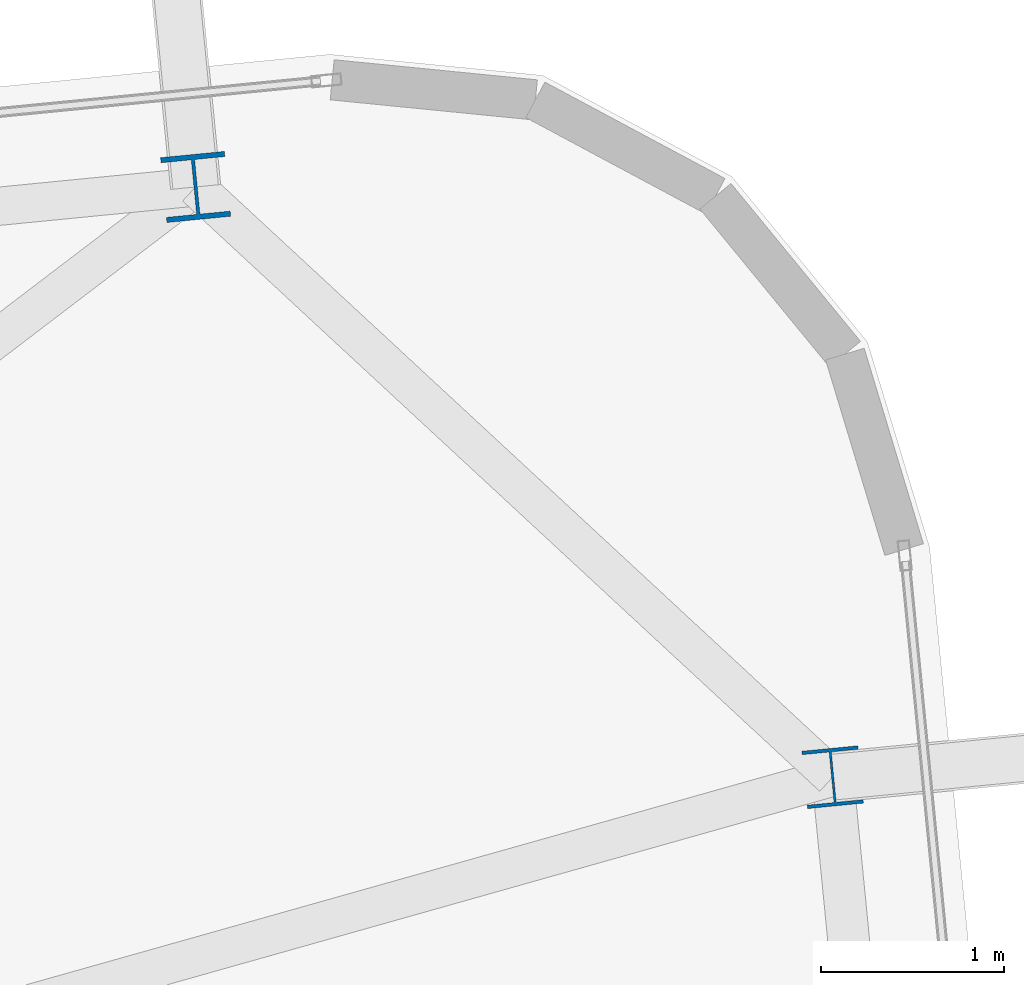
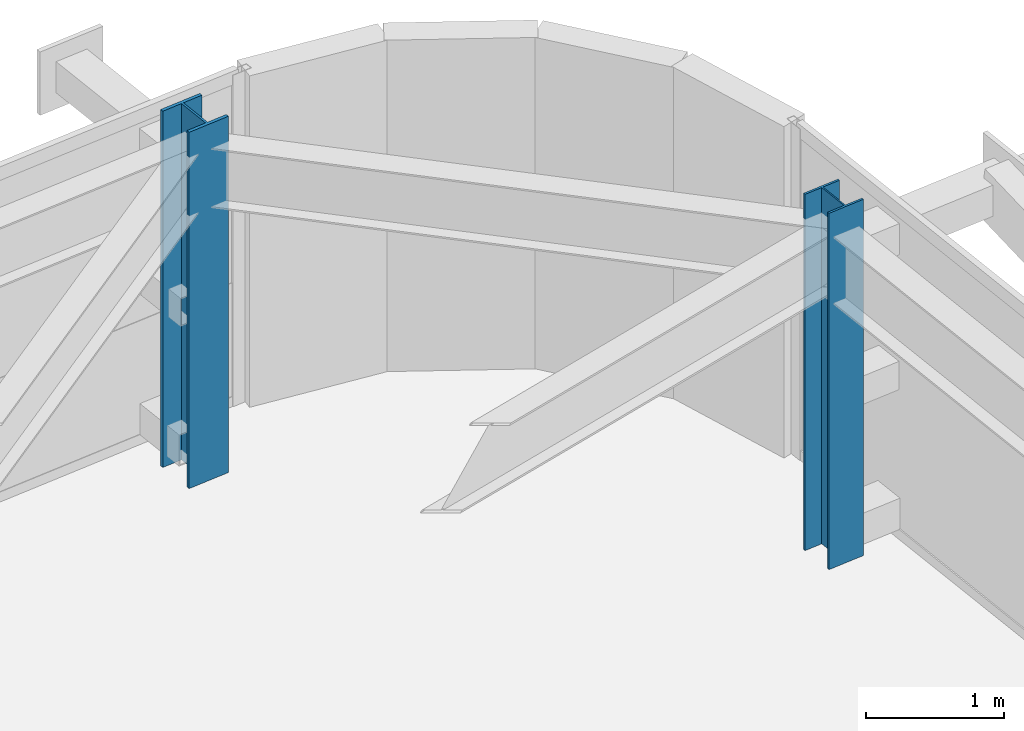
# One storey, part 4 of 51: 2 columns.
"""IFC4 building model written with IfcOpenShell, lengths in metres."""

from ifc_helpers import new_model, si_unit, direction, frame, origin, origin_2d, place, context, subcontext, project, spatial, i_section, extrude, source, transform, mapped, material, material_profile, profile_set, type_object, element, save


model = new_model("IFC4")

# Units and contexts
model_context = context("Model", 3, precision=1e-05, world=origin(), true_north=direction((0.0, 1.0)))
body_context = subcontext(model_context, "Body", "Model", "MODEL_VIEW")
ifc_project = project(units=[si_unit("LENGTHUNIT", "METRE"), si_unit("AREAUNIT", "SQUARE_METRE"), si_unit("VOLUMEUNIT", "CUBIC_METRE"), si_unit("PLANEANGLEUNIT", "RADIAN"), si_unit("MASSUNIT", "GRAM", prefix="KILO")], contexts=[model_context])

# Site, building, storey
site_placement = place(None, origin())
site = spatial("IfcSite", under=ifc_project, at=site_placement, CompositionType="ELEMENT")
building_placement = place(site_placement, origin())
building = spatial("IfcBuilding", under=site, at=building_placement, Name="Taldren Reach Tower", CompositionType="ELEMENT")
storey_placement = place(building_placement, frame((0.0, 0.0, 65.10009765625)))
storey = spatial("IfcBuildingStorey", under=building, at=storey_placement, Name="L19", CompositionType="ELEMENT", Elevation=65.10009765625)

# Columns
ifc_material = material(Name="Steel Gr 350 (350PLUS)", Category="steel")
ifc_material_profile_1 = material_profile(ifc_material, i_section(OverallWidth=0.35009765625, OverallDepth=0.35595703125, WebThickness=0.01806640625, FlangeThickness=0.028076171875, at=origin_2d()), Name="350WC197")
ifc_profile_set_1 = profile_set([ifc_material_profile_1], Name="Steel Gr 350 (350PLUS)")
column_type_1 = type_object("IfcColumnType", Name="COL-WC350", PredefinedType="COLUMN", material=ifc_profile_set_1)
shared_shape_1 = source(origin(), body_context, "Body", "SweptSolid", [
    extrude(i_section(OverallWidth=0.35009765625, OverallDepth=0.35595703125, WebThickness=0.01806640625, FlangeThickness=0.028076171875, at=origin_2d()), origin(), (0.0, 0.0, 1.0), 3.14990234375),
])
column_1_placement = place(storey_placement, frame((59.765869140625, 38.679931640625, 0.0), z_axis=(0.0, 0.0, 1.0), x_axis=(0.995227399982, 0.097582899759, 0.0)))
element("IfcColumn", 1, at=column_1_placement, inside=storey, type_object=column_type_1, Name="Block B2 perimeter column N6 L19", PredefinedType="COLUMN", context=body_context, shape_type="MappedRepresentation", body=[
    mapped(shared_shape_1, transform((0.0, 0.0, 0.0), scale=1.0)),
])
ifc_material_profile_2 = material_profile(ifc_material, i_section(OverallWidth=0.306884765625, OverallDepth=0.31494140625, WebThickness=0.011962890625, FlangeThickness=0.018798828125, at=origin_2d()), Name="310UC118")
ifc_profile_set_2 = profile_set([ifc_material_profile_2], Name="Steel Gr 350 (350PLUS)")
column_type_2 = type_object("IfcColumnType", Name="COL-UC310B", PredefinedType="COLUMN", material=ifc_profile_set_2)
shared_shape_2 = source(origin(), body_context, "Body", "SweptSolid", [
    extrude(i_section(OverallWidth=0.306884765625, OverallDepth=0.31494140625, WebThickness=0.011962890625, FlangeThickness=0.018798828125, at=origin_2d()), origin(), (0.0, 0.0, 1.0), 3.14990234375),
])
column_2_placement = place(storey_placement, frame((63.247314453125, 35.454345703125, 0.0), z_axis=(0.0, 0.0, 1.0), x_axis=(0.995227399982, 0.097582899759, 0.0)))
element("IfcColumn", 2, at=column_2_placement, inside=storey, type_object=column_type_2, Name="Block B2 perimeter column E3 L19", PredefinedType="COLUMN", context=body_context, shape_type="MappedRepresentation", body=[
    mapped(shared_shape_2, transform((0.0, 0.0, 0.0), scale=1.0)),
])

save(model, "model.ifc")
